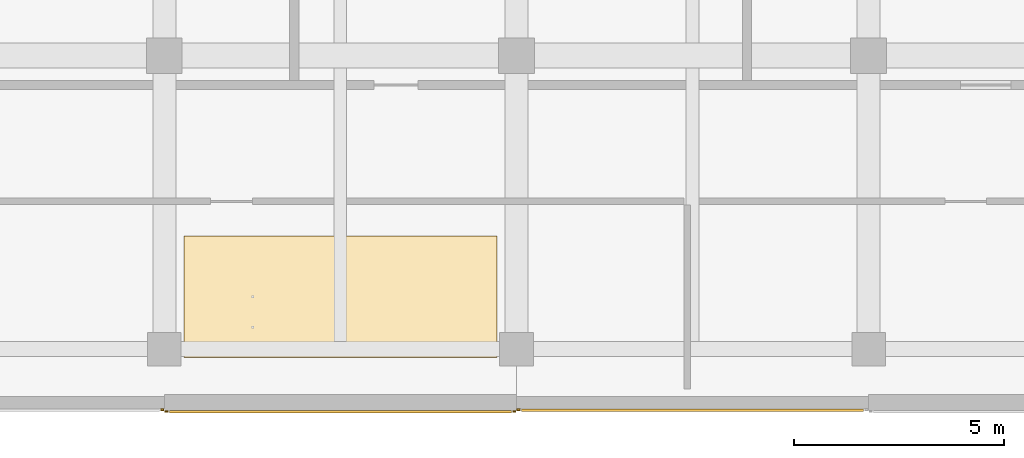
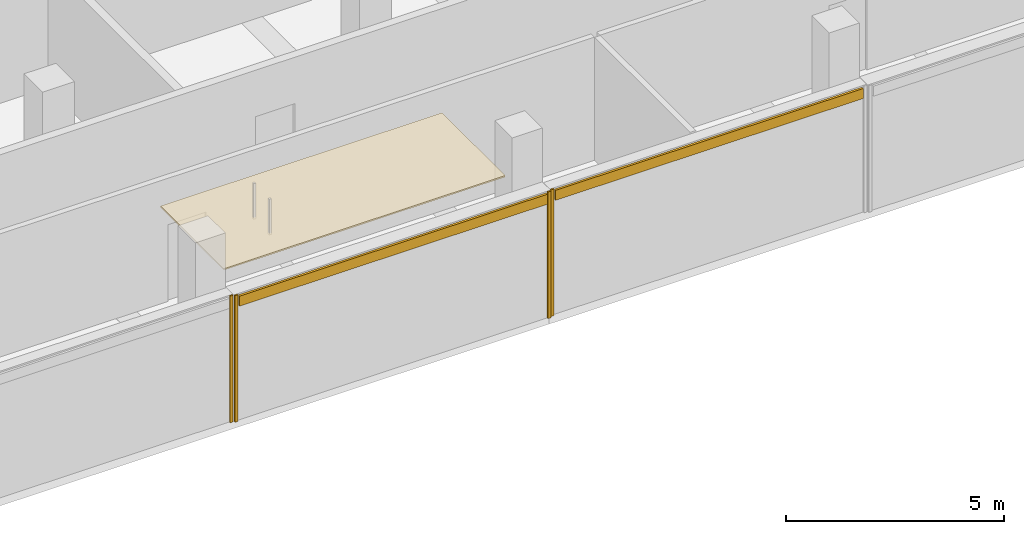
# One storey, part 25 of 35: 7 coverings.
"""IFC4 building model written with IfcOpenShell, lengths in metres."""

from ifc_helpers import new_model, si_unit, direction, frame, origin, origin_2d, place, context, subcontext, project, spatial, polyline, rectangle, outline, extrude, material, layer, layer_set, type_object, element, save


model = new_model("IFC4")

# Units and contexts
model_context = context("Model", 3, precision=1e-05, world=origin(), true_north=direction((0.0, 1.0)))
body_context = subcontext(model_context, "Body", "Model", "MODEL_VIEW")
ifc_project = project(units=[si_unit("LENGTHUNIT", "METRE"), si_unit("AREAUNIT", "SQUARE_METRE"), si_unit("VOLUMEUNIT", "CUBIC_METRE"), si_unit("PLANEANGLEUNIT", "RADIAN"), si_unit("MASSUNIT", "GRAM", prefix="KILO")], contexts=[model_context])

# Site, building, storey
site_placement = place(None, origin())
site = spatial("IfcSite", under=ifc_project, at=site_placement, CompositionType="ELEMENT")
building_placement = place(site_placement, origin())
building = spatial("IfcBuilding", under=site, at=building_placement, Name="Telukmera Botanical Conservatory", CompositionType="ELEMENT")
storey_placement = place(building_placement, frame((0.0, 0.0, 28.5)))
storey = spatial("IfcBuildingStorey", under=building, at=storey_placement, Name="L06", CompositionType="ELEMENT", Elevation=28.5)

# Coverings
ifc_material_1 = material(Name="Perforated gypsum acoustic ceiling")
ifc_layer_1 = layer(ifc_material_1, 0.0400390625)
ifc_layer_set_1 = layer_set([ifc_layer_1], Name="Perforated gypsum acoustic ceiling")
covering_type_1 = type_object("IfcCoveringType", Name="COV-CEIL-40", PredefinedType="CEILING", material=ifc_layer_set_1)
covering_placement = place(storey_placement, frame((0.0, 0.0, 3.31005859375)))
element("IfcCovering", 1, at=covering_placement, inside=storey, type_object=covering_type_1, Name="L06 Ethnobotany Curation Studio Suspended Acoustic Ceiling", PredefinedType="CEILING", context=body_context, shape_type="SweptSolid", body=[
    extrude(outline(polyline([(67.669921875, 10.39990234375), (75.1298828125, 10.39990234375), (75.1298828125, 13.300048828125), (67.669921875, 13.300048828125), (67.669921875, 10.39990234375)])), origin(), (0.0, 0.0, 1.0), 0.0400390625),
])
ifc_material_2 = material(Name="Granite-faced precast concrete C40/50", Category="masonry")
ifc_layer_2 = layer(ifc_material_2, 0.0400390625)
ifc_layer_set_2 = layer_set([ifc_layer_2], Name="Granite-faced precast concrete C40/50")
covering_type_2 = type_object("IfcCoveringType", Name="Granite Precast Column Pier Reveal Casing", PredefinedType="CLADDING", material=ifc_layer_set_2)
for number, where, z_axis, x_axis, name in (
    (2, (67.14794921875, 9.14990234375, 0.0), (0.0, 0.0, 1.0), (1.0, 0.0, 0.0), "Granite Pier Reveal V4:L06:S2 R"),
    (3, (67.251953125, 9.110107421875, 0.0), (0.0, 0.0, 1.0), (1.0, 0.0, 0.0), "Granite Pier Reveal V4:L06:S3 L"),
    (4, (75.548095703125, 9.110107421875, 0.0), (0.0, 0.0, 1.0), (1.0, 0.0, 0.0), "Granite Pier Reveal V4:L06:S3 R"),
    (5, (75.652099609375, 9.14990234375, 0.0), (0.0, 0.0, 1.0), (1.0, 0.0, 0.0), "Granite Pier Reveal V4:L06:S4 L"),
):
    element("IfcCovering", number, at=place(storey_placement, frame(where, z_axis=z_axis, x_axis=x_axis)), inside=storey, type_object=covering_type_2, Name=name, PredefinedType="CLADDING", context=body_context, shape_type="SweptSolid", body=[
        extrude(rectangle(XDim=0.080078125, YDim=0.0400390625, at=origin_2d()), origin(), (0.0, 0.0, 1.0), 3.550048828125),
    ])
ifc_material_3 = material(Name="Terracotta-faced precast concrete C40/50", Category="masonry")
ifc_layer_3 = layer(ifc_material_3, 0.06005859375)
ifc_layer_set_3 = layer_set([ifc_layer_3], Name="Terracotta-faced precast concrete C40/50")
covering_type_3 = type_object("IfcCoveringType", Name="Polychrome Terracotta Facade Band Cladding", PredefinedType="CLADDING", material=ifc_layer_set_3)
for number, where, z_axis, x_axis, name in (
    (6, (71.39990234375, 9.10009765625, 3.22998046875), (0.0, 0.0, 1.0), (1.0, 0.0, 0.0), "Polychrome Terracotta Band V4:L06:S3"),
    (7, (79.800048828125, 9.139892578125, 3.22998046875), (0.0, 0.0, 1.0), (1.0, 0.0, 0.0), "Polychrome Terracotta Band V4:L06:S4"),
):
    element("IfcCovering", number, at=place(storey_placement, frame(where, z_axis=z_axis, x_axis=x_axis)), inside=storey, type_object=covering_type_3, Name=name, PredefinedType="CLADDING", context=body_context, shape_type="SweptSolid", body=[
        extrude(rectangle(XDim=8.156005859375, YDim=0.06005859375, at=origin_2d()), origin(), (0.0, 0.0, 1.0), 0.280029296875),
    ])

save(model, "model.ifc")
